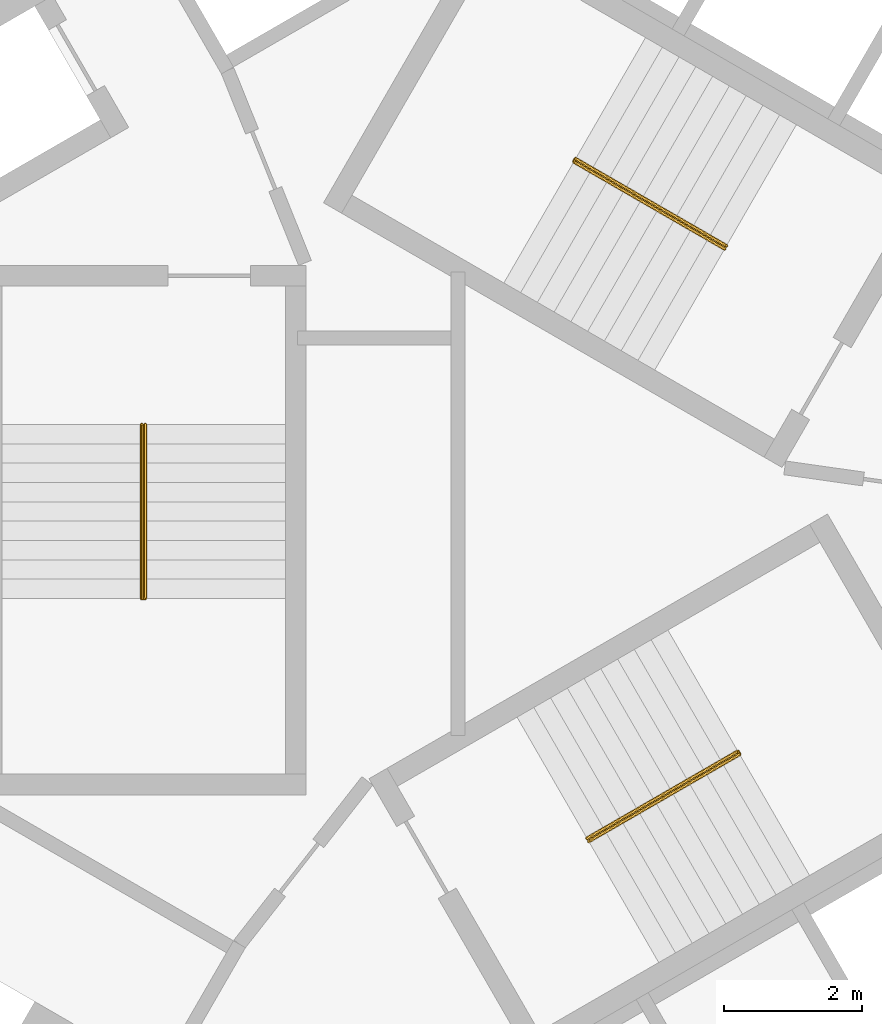
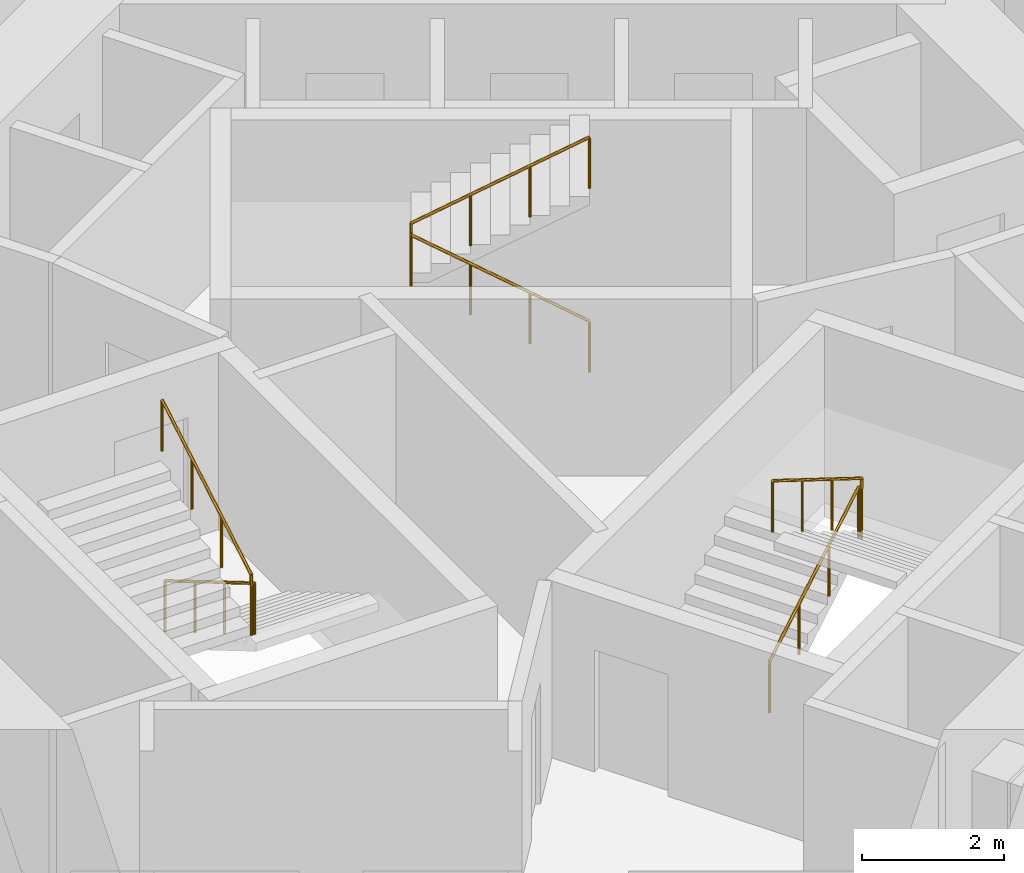
# One storey, part 12 of 12: 3 railings.
"""IFC4 building model written with IfcOpenShell, lengths in metres."""

import ifcopenshell
import ifcopenshell.guid

model = None  # the IFC model being written
_history = None  # IfcOwnerHistory: only IFC2X3 demands one
_inside = {}  # id of a spatial element -> (the spatial element, [elements in it])
_under = {}  # id of a project, library or spatial element -> (it, [spatial elements below it])
_declared = {}  # id of a project -> (the project, [libraries it declares])
_typed = {}  # id of a type object -> (the type object, [elements of that type])
_made_of = {}  # id of a material, layer set ... -> (it, [elements and type objects made of it])


def new_model(schema):
    """Start an empty IFC model of exactly this schema.

    Asked for "IFC4X3", IfcOpenShell would pick the latest addendum, in which some entities
    have other attributes; the version numbers below select the first issue.
    IFC2X3 requires an IfcOwnerHistory on every rooted entity: one is made here for all.
    """
    global model, _history
    if schema == "IFC4X3":
        model = ifcopenshell.file(schema_version=(4, 3, 0, 0))
    else:
        model = ifcopenshell.file(schema=schema)
    _inside.clear()
    _under.clear()
    _declared.clear()
    _typed.clear()
    _made_of.clear()
    _history = None
    if model.schema == "IFC2X3":
        org = make("IfcOrganization", Name="unknown")
        user = make(
            "IfcPersonAndOrganization",
            ThePerson=make("IfcPerson", FamilyName="unknown"),
            TheOrganization=org,
        )
        app = make(
            "IfcApplication",
            ApplicationDeveloper=org,
            Version="unknown",
            ApplicationFullName="unknown",
            ApplicationIdentifier="unknown",
        )
        _history = make(
            "IfcOwnerHistory",
            OwningUser=user,
            OwningApplication=app,
            ChangeAction="ADDED",
            CreationDate=0,
        )
    return model


def make(cls, **values):
    """One entity of the class cls with the attributes given. An attribute that is None is left unset."""
    return model.create_entity(
        cls, **{name: value for name, value in values.items() if value is not None}
    )


def rooted(cls, **values):
    """An entity with a GlobalId (a new one), such as an element, a storey or a relation."""
    return make(cls, GlobalId=ifcopenshell.guid.new(), OwnerHistory=_history, **values)


def si_unit(unit_type, name, prefix=None):
    """IfcSIUnit, for example si_unit("LENGTHUNIT", "METRE", prefix="MILLI")."""
    return make("IfcSIUnit", UnitType=unit_type, Prefix=prefix, Name=name)


def assignment(units):
    """IfcUnitAssignment: the units of a project."""
    return None if units is None else make("IfcUnitAssignment", Units=units)


def point(xyz):
    """IfcCartesianPoint."""
    return None if xyz is None else make("IfcCartesianPoint", Coordinates=xyz)


def direction(xyz):
    """IfcDirection."""
    return None if xyz is None else make("IfcDirection", DirectionRatios=xyz)


def frame(location, z_axis=None, x_axis=None):
    """IfcAxis2Placement3D, a coordinate frame: its origin and axes. An axis left out is left unset."""
    return make(
        "IfcAxis2Placement3D",
        Location=point(location),
        Axis=direction(z_axis),
        RefDirection=direction(x_axis),
    )


def frame_2d(location, x_axis=None):
    """IfcAxis2Placement2D, a coordinate frame in the plane: its origin and x axis."""
    return make(
        "IfcAxis2Placement2D", Location=point(location), RefDirection=direction(x_axis)
    )


def origin():
    """The frame at (0, 0, 0) with its axes left unset."""
    return frame((0.0, 0.0, 0.0))


def origin_2d():
    """The frame at (0, 0) in the plane with its x axis left unset."""
    return frame_2d((0.0, 0.0))


def place(relative_to, where):
    """IfcLocalPlacement: puts the frame where relative to a parent placement (None: the world)."""
    return make(
        "IfcLocalPlacement", PlacementRelTo=relative_to, RelativePlacement=where
    )


def context(
    kind, dimensions, precision=None, world=None, true_north=None, identifier=None
):
    """IfcGeometricRepresentationContext, for example the 3D "Model" context."""
    return make(
        "IfcGeometricRepresentationContext",
        ContextIdentifier=identifier,
        ContextType=kind,
        CoordinateSpaceDimension=dimensions,
        Precision=precision,
        WorldCoordinateSystem=world,
        TrueNorth=true_north,
    )


def subcontext(parent, identifier, kind, view, scale=None):
    """IfcGeometricRepresentationSubContext, for example "Body" below "Model"."""
    return make(
        "IfcGeometricRepresentationSubContext",
        ContextIdentifier=identifier,
        ContextType=kind,
        ParentContext=parent,
        TargetScale=scale,
        TargetView=view,
    )


def project(units=None, contexts=None):
    """IfcProject with its units and contexts."""
    return rooted(
        "IfcProject",
        Name="project",
        RepresentationContexts=contexts,
        UnitsInContext=assignment(units),
    )


def spatial(cls, under=None, at=None, **own):
    """A site, building, storey or space (cls), placed at a placement, below another one or the project."""
    s = rooted(cls, ObjectPlacement=at, **own)
    if under is not None:
        _under.setdefault(under.id(), (under, []))[1].append(s)
    return s


def profile(cls, at=None, kind="AREA", **sizes):
    """A parametric profile (cls). Its sizes go by their IFC names, for example OverallWidth=200.0."""
    return make(cls, ProfileType=kind, Position=at, **sizes)


def circle(**sizes):
    """IfcCircleProfileDef."""
    return profile("IfcCircleProfileDef", **sizes)


def extrude(swept, where, along, depth):
    """IfcExtrudedAreaSolid: the profile swept, set in the frame where, extruded along a direction by depth."""
    return make(
        "IfcExtrudedAreaSolid",
        SweptArea=swept,
        Position=where,
        ExtrudedDirection=direction(along),
        Depth=depth,
    )


def shape(context_of_items, identifier, shape_type, items):
    """IfcShapeRepresentation: the items that make up one representation, for example the "Body"."""
    return make(
        "IfcShapeRepresentation",
        ContextOfItems=context_of_items,
        RepresentationIdentifier=identifier,
        RepresentationType=shape_type,
        Items=items,
    )


def material(Name=None, Category=None):
    """IfcMaterial."""
    return make("IfcMaterial", Name=Name, Category=Category)


def made_of(thing, what):
    """Note that an element or type object is made of a material, layer set ...; save() writes the relation."""
    if what is not None:
        _made_of.setdefault(what.id(), (what, []))[1].append(thing)
    return thing


def type_object(cls, material=None, **own):
    """A type object (cls), such as IfcWallType, which elements share."""
    return made_of(rooted(cls, **own), material)


def element(
    cls,
    number,
    at=None,
    inside=None,
    cuts=None,
    type_object=None,
    material=None,
    context=None,
    identifier="Body",
    shape_type=None,
    held_by="IfcProductDefinitionShape",
    body=None,
    shapes=None,
    **own,
):
    """One element of the class cls, such as IfcWall. Its Tag is "e" and its number.

    at: its placement. inside: the storey or other place that contains it. cuts: it is an
    opening in that element (IfcRelVoidsElement). A single representation is given by context,
    identifier, shape_type and body (its items); several are given by shapes. held_by: the class
    of the entity that holds the representations. save() writes the other relations.
    """
    e = rooted(cls, Tag="e%d" % number, ObjectPlacement=at, **own)
    if body is not None:
        shapes = [shape(context, identifier, shape_type, body)]
    if shapes is not None:
        e.Representation = make(held_by, Representations=shapes)
    if inside is not None:
        _inside.setdefault(inside.id(), (inside, []))[1].append(e)
    if cuts is not None:
        rooted(
            "IfcRelVoidsElement", RelatingBuildingElement=cuts, RelatedOpeningElement=e
        )
    if type_object is not None:
        _typed.setdefault(type_object.id(), (type_object, []))[1].append(e)
    return made_of(e, material)


def aggregate(whole, parts):
    """IfcRelAggregates: a whole, such as a stair, and the parts it consists of."""
    return rooted("IfcRelAggregates", RelatingObject=whole, RelatedObjects=parts)


def save(model, path):
    """Write the relations noted so far, then the file.

    IfcRelAggregates (storeys below a building ...), IfcRelContainedInSpatialStructure (elements
    in a storey), IfcRelDefinesByType, IfcRelAssociatesMaterial and IfcRelDeclares: one each for
    every whole, place, type object, material and project.
    """
    for whole, parts in _under.values():
        aggregate(whole, parts)
    for where, things in _inside.values():
        rooted(
            "IfcRelContainedInSpatialStructure",
            RelatedElements=things,
            RelatingStructure=where,
        )
    for kind, things in _typed.values():
        rooted("IfcRelDefinesByType", RelatedObjects=things, RelatingType=kind)
    for what, things in _made_of.values():
        rooted("IfcRelAssociatesMaterial", RelatedObjects=things, RelatingMaterial=what)
    for by, libraries in _declared.values():
        rooted("IfcRelDeclares", RelatingContext=by, RelatedDefinitions=libraries)
    model.write(path)


model = new_model("IFC4")

# Units and contexts
model_context = context("Model", 3, precision=1e-05, world=origin(), true_north=direction((0.0, 1.0)))
body_context = subcontext(model_context, "Body", "Model", "MODEL_VIEW")
ifc_project = project(units=[si_unit("LENGTHUNIT", "METRE"), si_unit("AREAUNIT", "SQUARE_METRE"), si_unit("VOLUMEUNIT", "CUBIC_METRE"), si_unit("PLANEANGLEUNIT", "RADIAN"), si_unit("MASSUNIT", "GRAM", prefix="KILO")], contexts=[model_context])

# Site, building, storey
site_placement = place(None, origin())
site = spatial("IfcSite", under=ifc_project, at=site_placement, CompositionType="ELEMENT")
building_placement = place(site_placement, origin())
building = spatial("IfcBuilding", under=site, at=building_placement, Name="Vanh Sen Convention Tower", CompositionType="ELEMENT")
storey_placement = place(building_placement, frame((0.0, 0.0, 47.300048828125)))
storey = spatial("IfcBuildingStorey", under=building, at=storey_placement, Name="L08", CompositionType="ELEMENT", Elevation=47.300048828125)

# Railings
ifc_material = material(Name="Stainless steel handrail", Category="steel")
railing_type = type_object("IfcRailingType", Name="Stair handrail 900", PredefinedType="HANDRAIL", material=ifc_material)
railing_1_placement = place(storey_placement, frame((3.45849609375, 3.690185546875, 0.1650390625)))
element("IfcRailing", 1, at=railing_1_placement, inside=storey, type_object=railing_type, Name="Stair handrail ST1 L08", PredefinedType="HANDRAIL", context=body_context, shape_type="SweptSolid", body=[
    extrude(circle(Radius=0.02392578125, at=origin_2d()), frame((0.0, 0.0, 0.8759765625), z_axis=(-0.746166161147, 0.430756550076, 0.507626688154), x_axis=(-0.499962843328, -0.866046855136, 0.0)), (0.0, 0.0, 1.0), 2.925048828125),
    extrude(circle(Radius=0.02392578125, at=origin_2d()), frame((-2.1826171875, 1.260009765625, 2.36083984375), z_axis=(0.502959906984, 0.86430974307, 0.0), x_axis=(-0.86430974307, 0.502959906984, 0.0)), (0.0, 0.0, 1.0), 0.050048828125),
    extrude(circle(Radius=0.02392578125, at=origin_2d()), frame((-2.157470703125, 1.30322265625, 2.36083984375), z_axis=(0.0, 0.0, 1.0), x_axis=(1.0, 0.0, 0.0)), (0.0, 0.0, 1.0), 0.1650390625),
    extrude(circle(Radius=0.02392578125, at=origin_2d()), frame((-2.157470703125, 1.30322265625, 2.52587890625), z_axis=(0.746097546679, -0.430765123438, 0.507720256902), x_axis=(0.500004791531, 0.866022637375, 0.0)), (0.0, 0.0, 1.0), 2.925048828125),
    extrude(circle(Radius=0.02099609375, at=origin_2d()), origin(), (0.0, 0.0, 1.0), 0.851806640625),
    extrude(circle(Radius=0.02099609375, at=origin_2d()), frame((-0.7275390625, 0.419921875, 0.494873046875)), (0.0, 0.0, 1.0), 0.851806640625),
    extrude(circle(Radius=0.02099609375, at=origin_2d()), frame((-1.455078125, 0.840087890625, 0.989990234375)), (0.0, 0.0, 1.0), 0.851806640625),
    extrude(circle(Radius=0.02099609375, at=origin_2d()), frame((-2.1826171875, 1.260009765625, 1.48486328125)), (0.0, 0.0, 1.0), 0.851806640625),
    extrude(circle(Radius=0.02099609375, at=origin_2d()), frame((-2.157470703125, 1.30322265625, 1.48486328125)), (0.0, 0.0, 1.0), 0.851806640625),
    extrude(circle(Radius=0.02099609375, at=origin_2d()), frame((-2.157470703125, 1.30322265625, 1.64990234375)), (0.0, 0.0, 1.0), 0.851806640625),
    extrude(circle(Radius=0.02099609375, at=origin_2d()), frame((-1.429931640625, 0.88330078125, 2.14501953125)), (0.0, 0.0, 1.0), 0.851806640625),
    extrude(circle(Radius=0.02099609375, at=origin_2d()), frame((-0.70263671875, 0.463134765625, 2.639892578125)), (0.0, 0.0, 1.0), 0.851806640625),
    extrude(circle(Radius=0.02099609375, at=origin_2d()), frame((0.02490234375, 0.043212890625, 3.135009765625)), (0.0, 0.0, 1.0), 0.851806640625),
])
railing_2_placement = place(storey_placement, frame((-4.925048828125, 1.14990234375, 0.1650390625)))
element("IfcRailing", 2, at=railing_2_placement, inside=storey, type_object=railing_type, Name="Stair handrail ST2 L08", PredefinedType="HANDRAIL", context=body_context, shape_type="SweptSolid", body=[
    extrude(circle(Radius=0.02392578125, at=origin_2d()), frame((0.0, 0.0, 0.8759765625), z_axis=(0.0, -0.861560626758, 0.507654692109), x_axis=(1.0, 0.0, 0.0)), (0.0, 0.0, 1.0), 2.925048828125),
    extrude(circle(Radius=0.02392578125, at=origin_2d()), frame((0.0, -2.52001953125, 2.36083984375), z_axis=(-1.0, 0.0, 0.0), x_axis=(0.0, -1.0, 0.0)), (0.0, 0.0, 1.0), 0.050048828125),
    extrude(circle(Radius=0.02392578125, at=origin_2d()), frame((-0.050048828125, -2.52001953125, 2.36083984375), z_axis=(0.0, 0.0, 1.0), x_axis=(1.0, 0.0, 0.0)), (0.0, 0.0, 1.0), 0.1650390625),
    extrude(circle(Radius=0.02392578125, at=origin_2d()), frame((-0.050048828125, -2.52001953125, 2.52587890625), z_axis=(0.0, 0.86152411907, 0.507716645641), x_axis=(-1.0, 0.0, 0.0)), (0.0, 0.0, 1.0), 2.925048828125),
    extrude(circle(Radius=0.02099609375, at=origin_2d()), origin(), (0.0, 0.0, 1.0), 0.851806640625),
    extrude(circle(Radius=0.02099609375, at=origin_2d()), frame((0.0, -0.840087890625, 0.494873046875)), (0.0, 0.0, 1.0), 0.851806640625),
    extrude(circle(Radius=0.02099609375, at=origin_2d()), frame((0.0, -1.679931640625, 0.989990234375)), (0.0, 0.0, 1.0), 0.851806640625),
    extrude(circle(Radius=0.02099609375, at=origin_2d()), frame((0.0, -2.52001953125, 1.48486328125)), (0.0, 0.0, 1.0), 0.851806640625),
    extrude(circle(Radius=0.02099609375, at=origin_2d()), frame((-0.050048828125, -2.52001953125, 1.48486328125)), (0.0, 0.0, 1.0), 0.851806640625),
    extrude(circle(Radius=0.02099609375, at=origin_2d()), frame((-0.050048828125, -2.52001953125, 1.64990234375)), (0.0, 0.0, 1.0), 0.851806640625),
    extrude(circle(Radius=0.02099609375, at=origin_2d()), frame((-0.050048828125, -1.679931640625, 2.14501953125)), (0.0, 0.0, 1.0), 0.851806640625),
    extrude(circle(Radius=0.02099609375, at=origin_2d()), frame((-0.050048828125, -0.840087890625, 2.639892578125)), (0.0, 0.0, 1.0), 0.851806640625),
    extrude(circle(Radius=0.02099609375, at=origin_2d()), frame((-0.050048828125, 0.0, 3.135009765625)), (0.0, 0.0, 1.0), 0.851806640625),
])
railing_3_placement = place(storey_placement, frame((1.466552734375, -4.840087890625, 0.1650390625)))
element("IfcRailing", 3, at=railing_3_placement, inside=storey, type_object=railing_type, Name="Stair handrail ST3 L08", PredefinedType="HANDRAIL", context=body_context, shape_type="SweptSolid", body=[
    extrude(circle(Radius=0.02392578125, at=origin_2d()), frame((0.0, 0.0, 0.8759765625), z_axis=(0.746129163535, 0.430783377672, 0.507658303235), x_axis=(-0.500004791531, 0.866022637375, 0.0)), (0.0, 0.0, 1.0), 2.9248046875),
    extrude(circle(Radius=0.02392578125, at=origin_2d()), frame((2.182373046875, 1.260009765625, 2.36083984375), z_axis=(0.500844580232, -0.86553723574, 0.0), x_axis=(0.86553723574, 0.500844580232, 0.0)), (0.0, 0.0, 1.0), 0.05029296875),
    extrude(circle(Radius=0.02392578125, at=origin_2d()), frame((2.20751953125, 1.216552734375, 2.36083984375), z_axis=(0.0, 0.0, 1.0), x_axis=(1.0, 0.0, 0.0)), (0.0, 0.0, 1.0), 0.1650390625),
    extrude(circle(Radius=0.02392578125, at=origin_2d()), frame((2.20751953125, 1.216552734375, 2.52587890625), z_axis=(-0.746097546679, -0.430765123438, 0.507720256902), x_axis=(0.500004791531, -0.866022637375, 0.0)), (0.0, 0.0, 1.0), 2.925048828125),
    extrude(circle(Radius=0.02099609375, at=origin_2d()), origin(), (0.0, 0.0, 1.0), 0.851806640625),
    extrude(circle(Radius=0.02099609375, at=origin_2d()), frame((0.7275390625, 0.419921875, 0.494873046875)), (0.0, 0.0, 1.0), 0.851806640625),
    extrude(circle(Radius=0.02099609375, at=origin_2d()), frame((1.454833984375, 0.840087890625, 0.989990234375)), (0.0, 0.0, 1.0), 0.851806640625),
    extrude(circle(Radius=0.02099609375, at=origin_2d()), frame((2.182373046875, 1.260009765625, 1.48486328125)), (0.0, 0.0, 1.0), 0.851806640625),
    extrude(circle(Radius=0.02099609375, at=origin_2d()), frame((2.20751953125, 1.216552734375, 1.48486328125)), (0.0, 0.0, 1.0), 0.851806640625),
    extrude(circle(Radius=0.02099609375, at=origin_2d()), frame((2.20751953125, 1.216552734375, 1.64990234375)), (0.0, 0.0, 1.0), 0.851806640625),
    extrude(circle(Radius=0.02099609375, at=origin_2d()), frame((1.47998046875, 0.796630859375, 2.14501953125)), (0.0, 0.0, 1.0), 0.851806640625),
    extrude(circle(Radius=0.02099609375, at=origin_2d()), frame((0.752685546875, 0.37646484375, 2.639892578125)), (0.0, 0.0, 1.0), 0.851806640625),
    extrude(circle(Radius=0.02099609375, at=origin_2d()), frame((0.025146484375, -0.04345703125, 3.135009765625)), (0.0, 0.0, 1.0), 0.851806640625),
])

save(model, "model.ifc")
